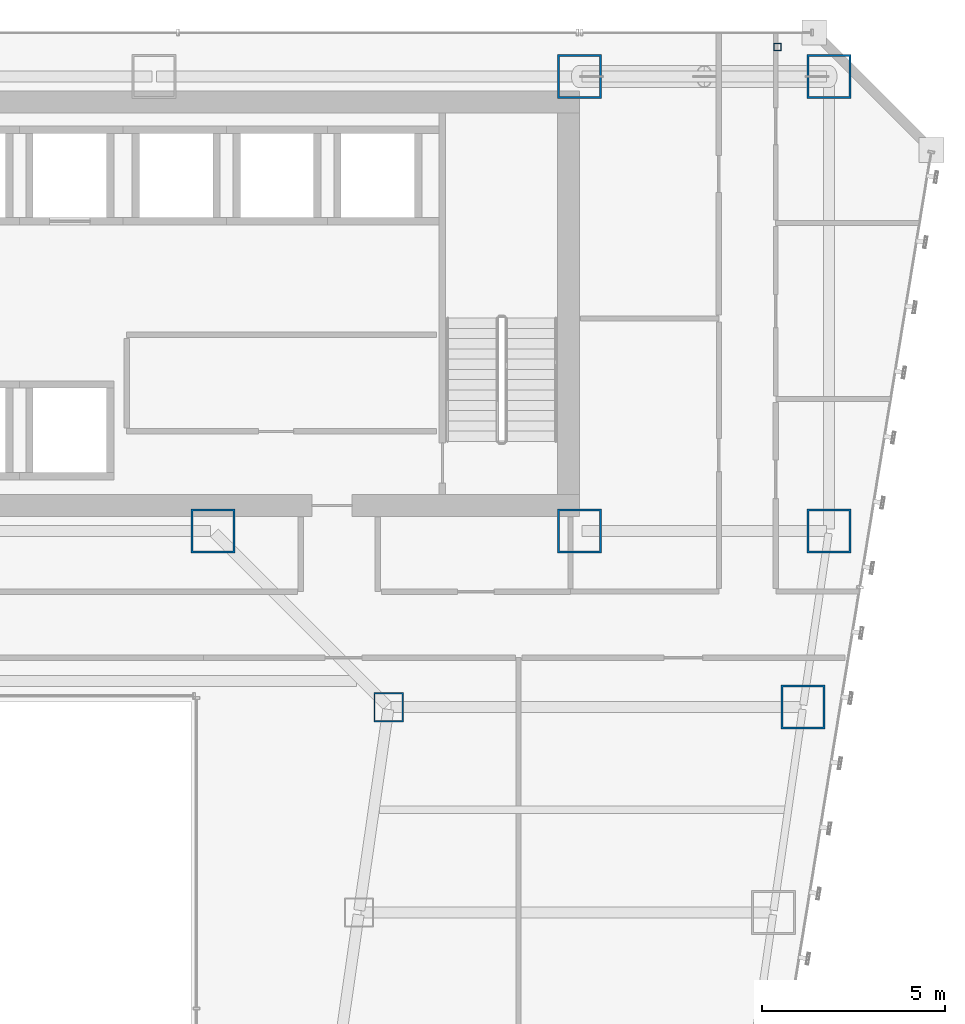
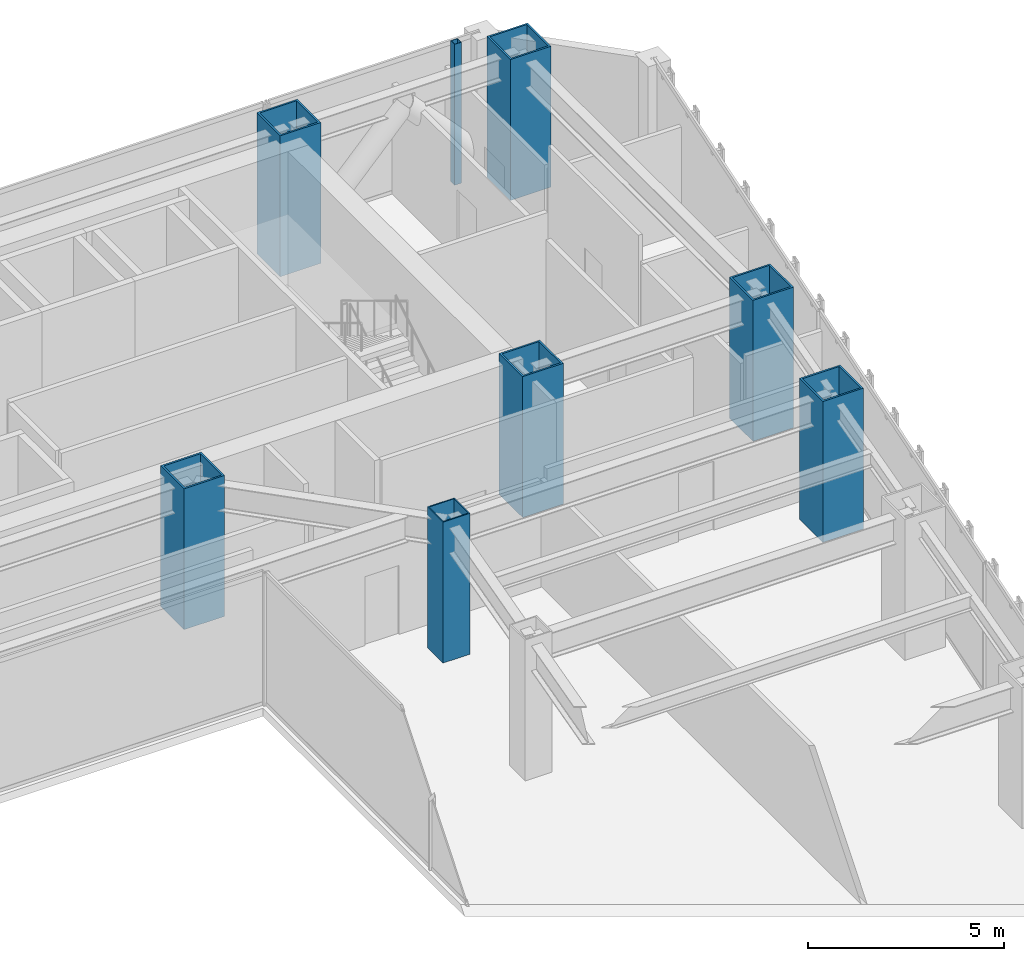
# One storey, part 3 of 47: 8 columns.
"""IFC4 building model written with IfcOpenShell, lengths in metres."""

from ifc_helpers import new_model, si_unit, direction, frame, origin, origin_2d, place, context, subcontext, project, spatial, hollow_rectangle, extrude, material, material_profile, profile_set, type_object, element, save


model = new_model("IFC4")

# Units and contexts
model_context = context("Model", 3, precision=1e-05, world=origin(), true_north=direction((0.0, 1.0)))
body_context = subcontext(model_context, "Body", "Model", "MODEL_VIEW")
ifc_project = project(units=[si_unit("LENGTHUNIT", "METRE"), si_unit("AREAUNIT", "SQUARE_METRE"), si_unit("VOLUMEUNIT", "CUBIC_METRE"), si_unit("PLANEANGLEUNIT", "RADIAN"), si_unit("MASSUNIT", "GRAM", prefix="KILO")], contexts=[model_context])

# Site, building, storey
site_placement = place(None, origin())
site = spatial("IfcSite", under=ifc_project, at=site_placement, CompositionType="ELEMENT")
building_placement = place(site_placement, origin())
building = spatial("IfcBuilding", under=site, at=building_placement, Name="Saevonmaru Cultural Tower", CompositionType="ELEMENT")
storey_placement = place(building_placement, frame((0.0, 0.0, 78.0)))
storey = spatial("IfcBuildingStorey", under=building, at=storey_placement, Name="L16", CompositionType="ELEMENT", Elevation=78.0)

# Columns
ifc_material_1 = material(Name="Steel HSA600 (600 MPa)", Category="steel")
ifc_material_profile_1 = material_profile(ifc_material_1, hollow_rectangle(XDim=1.199951171875, YDim=1.199951171875, WallThickness=0.054931640625, at=origin_2d()), Name="BOX-1200x1200x55")
ifc_profile_set_1 = profile_set([ifc_material_profile_1], Name="Steel HSA600 (600 MPa)")
column_type_1 = type_object("IfcColumnType", Name="COL-BOX-1200", PredefinedType="COLUMN", material=ifc_profile_set_1)
for number, where, z_axis, x_axis, name in (
    (1, (46.39990234375, 54.800048828125, 0.0), (0.0, 0.0, 1.0), (1.0, 0.0, 0.0), "L16 Column TC-N5N"),
    (2, (53.199951171875, 54.800048828125, 0.0), (0.0, 0.0, 1.0), (1.0, 0.0, 0.0), "L16 Column TC-N6N"),
    (3, (36.39990234375, 42.39990234375, 0.0), (0.0, 0.0, 1.0), (1.0, 0.0, 0.0), "L16 Column TC-S4C"),
    (4, (46.39990234375, 42.39990234375, 0.0), (0.0, 0.0, 1.0), (1.0, 0.0, 0.0), "L16 Column TC-S5C"),
    (5, (53.199951171875, 42.39990234375, 0.0), (0.0, 0.0, 1.0), (1.0, 0.0, 0.0), "L16 Column TC-S6C"),
    (6, (52.491943359375, 37.60009765625, 0.0), (0.0, 0.0, 1.0), (1.0, 0.0, 0.0), "L16 Column TC-EO-Y376"),
):
    element("IfcColumn", number, at=place(storey_placement, frame(where, z_axis=z_axis, x_axis=x_axis)), inside=storey, type_object=column_type_1, Name=name, PredefinedType="COLUMN", context=body_context, shape_type="SweptSolid", body=[
        extrude(hollow_rectangle(XDim=1.199951171875, YDim=1.199951171875, WallThickness=0.054931640625, at=origin_2d()), origin(), (0.0, 0.0, 1.0), 4.39990234375),
    ])
ifc_material_2 = material(Name="Steel SM420", Category="steel")
ifc_material_profile_2 = material_profile(ifc_material_2, hollow_rectangle(XDim=0.800048828125, YDim=0.800048828125, WallThickness=0.035888671875, at=origin_2d()), Name="BOX-800x800x36")
ifc_profile_set_2 = profile_set([ifc_material_profile_2], Name="Steel SM420")
column_type_2 = type_object("IfcColumnType", Name="COL-BOX-800", PredefinedType="COLUMN", material=ifc_profile_set_2)
column_1_placement = place(storey_placement, frame((41.19189453125, 37.60009765625, 0.0), z_axis=(0.0, 0.0, 1.0), x_axis=(1.0, 0.0, 0.0)))
element("IfcColumn", 7, at=column_1_placement, inside=storey, type_object=column_type_2, Name="L16 Column TC-EI-Y376", PredefinedType="COLUMN", context=body_context, shape_type="SweptSolid", body=[
    extrude(hollow_rectangle(XDim=0.800048828125, YDim=0.800048828125, WallThickness=0.035888671875, at=origin_2d()), origin(), (0.0, 0.0, 1.0), 4.39990234375),
])
ifc_material_3 = material(Name="Steel SM355", Category="steel")
ifc_material_profile_3 = material_profile(ifc_material_3, hollow_rectangle(XDim=0.199951171875, YDim=0.199951171875, WallThickness=0.010009765625, at=origin_2d()), Name="SHS-200x200x10")
ifc_profile_set_3 = profile_set([ifc_material_profile_3], Name="Steel SM355")
column_type_3 = type_object("IfcColumnType", Name="PIL-SHS-200", PredefinedType="PILASTER", material=ifc_profile_set_3)
column_2_placement = place(storey_placement, frame((51.800048828125, 55.60009765625, 0.0), z_axis=(0.0, 0.0, 1.0), x_axis=(1.0, 0.0, 0.0)))
element("IfcColumn", 8, at=column_2_placement, inside=storey, type_object=column_type_3, Name="L16 Art Deco Bronze-Clad Pilaster PIL-NE", PredefinedType="PILASTER", context=body_context, shape_type="SweptSolid", body=[
    extrude(hollow_rectangle(XDim=0.199951171875, YDim=0.199951171875, WallThickness=0.010009765625, at=origin_2d()), origin(), (0.0, 0.0, 1.0), 4.39990234375),
])

save(model, "model.ifc")
